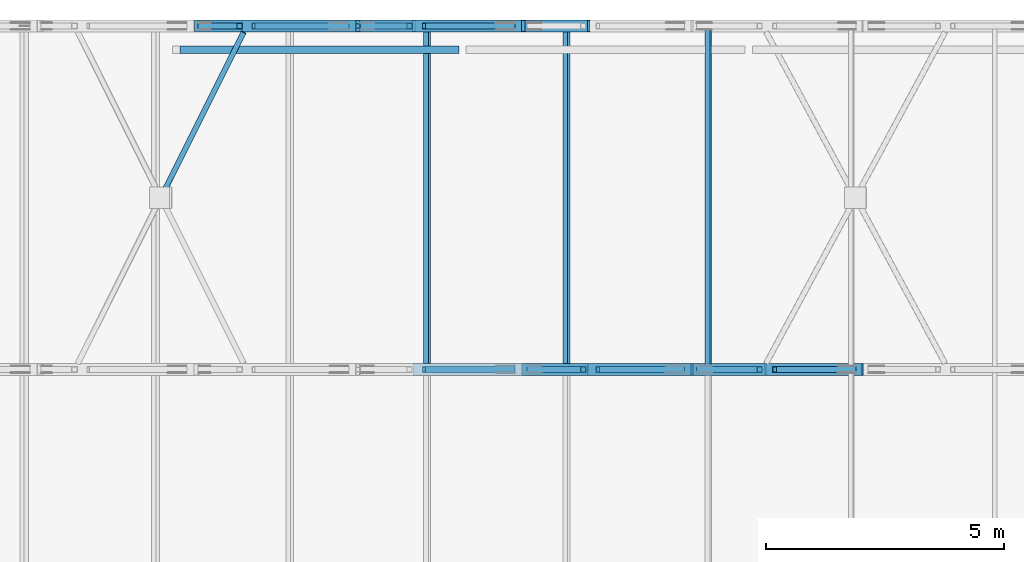
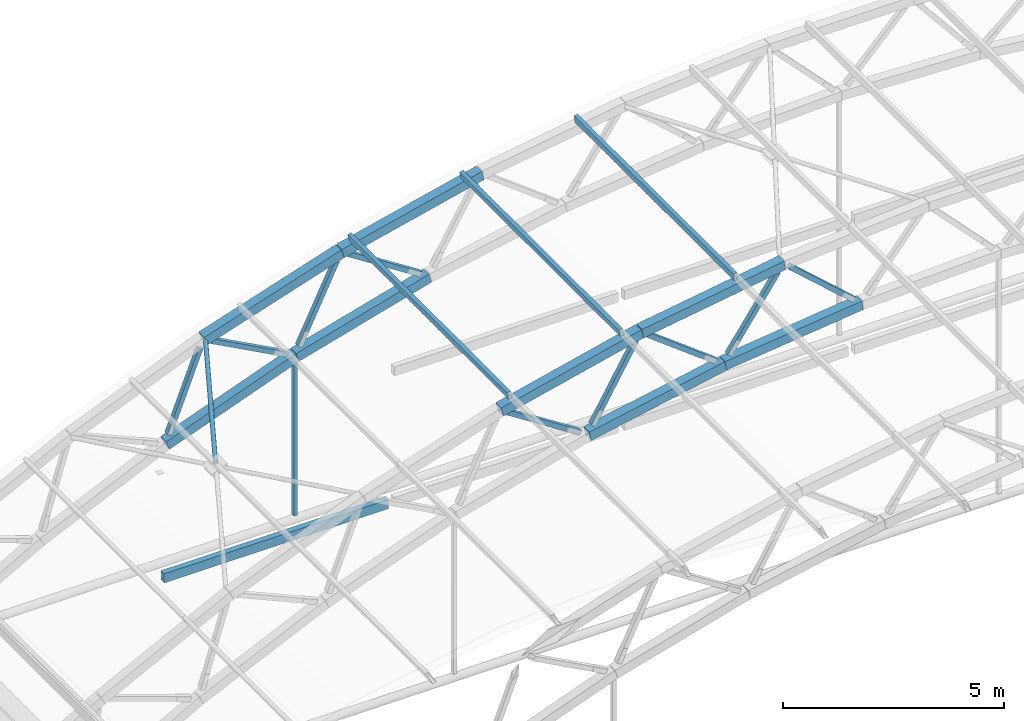
# One storey, part 27 of 127: 22 members, 1 beam.
"""IFC4 building model written with IfcOpenShell, lengths in metres."""

from ifc_helpers import new_model, si_unit, direction, frame, origin, origin_2d, place, context, subcontext, project, spatial, hollow_rectangle, hollow_circle, extrude, material, material_profile, profile_set, type_object, element, save


model = new_model("IFC4")

# Units and contexts
model_context = context("Model", 3, precision=1e-05, world=origin(), true_north=direction((0.0, 1.0)))
body_context = subcontext(model_context, "Body", "Model", "MODEL_VIEW")
ifc_project = project(units=[si_unit("LENGTHUNIT", "METRE"), si_unit("AREAUNIT", "SQUARE_METRE"), si_unit("VOLUMEUNIT", "CUBIC_METRE"), si_unit("PLANEANGLEUNIT", "RADIAN"), si_unit("MASSUNIT", "GRAM", prefix="KILO")], contexts=[model_context])

# Site, building, storey
site_placement = place(None, origin())
site = spatial("IfcSite", under=ifc_project, at=site_placement, CompositionType="ELEMENT")
building_placement = place(site_placement, origin())
building = spatial("IfcBuilding", under=site, at=building_placement, Name="Verrick Yard Athletic Hall", CompositionType="ELEMENT")
storey_placement = place(building_placement, frame((0.0, 0.0, 14.0)))
storey = spatial("IfcBuildingStorey", under=building, at=storey_placement, Name="L03", CompositionType="ELEMENT", Elevation=14.0)

# Members
ifc_material = material(Name="Structural steel HSS Class C 350W (CSA G40.20/G40.21)", Category="steel")
ifc_material_profile_1 = material_profile(ifc_material, hollow_rectangle(XDim=0.25390625, YDim=0.25390625, WallThickness=0.009521484375, at=origin_2d()), Name="HSS254x254x9.5")
ifc_profile_set_1 = profile_set([ifc_material_profile_1], Name="Structural steel HSS Class C 350W (CSA G40.20/G40.21)")
member_type_1 = type_object("IfcMemberType", Name="HB bottom chord HSS254x254x9.5", PredefinedType="CHORD", material=ifc_profile_set_1)
for number, where, z_axis, x_axis, name in (
    (1, (41.283447265625, 100.800048828125, 5.4912109375), (0.980848695375, 0.0, 0.194771242181), (0.0, 1.0, 0.0), "Truss TB5 bottom chord 5"),
    (2, (44.820556640625, 100.800048828125, 6.193359375), (0.993094882284, 0.0, 0.117313915545), (0.0, 1.0, 0.0), "Truss TB5 bottom chord 6"),
):
    element("IfcMember", number, at=place(storey_placement, frame(where, z_axis=z_axis, x_axis=x_axis)), inside=storey, type_object=member_type_1, Name=name, PredefinedType="CHORD", context=body_context, shape_type="SweptSolid", body=[
        extrude(hollow_rectangle(XDim=0.25390625, YDim=0.25390625, WallThickness=0.009521484375, at=origin_2d()), origin(), (0.0, 0.0, 1.0), 3.59619140625),
    ])
for number, where, z_axis, x_axis, name in (
    (3, (34.42822265625, 108.0, 3.2685546875), (0.938394107905, 0.0, 0.345566922966), (0.0, 1.0, 0.0), "Truss TB6 bottom chord 3"),
    (4, (37.812255859375, 108.0, 4.514404296875), (0.962572378456, 0.0, 0.271024752066), (0.0, 1.0, 0.0), "Truss TB6 bottom chord 4"),
):
    element("IfcMember", number, at=place(storey_placement, frame(where, z_axis=z_axis, x_axis=x_axis)), inside=storey, type_object=member_type_1, Name=name, PredefinedType="CHORD", context=body_context, shape_type="SweptSolid", body=[
        extrude(hollow_rectangle(XDim=0.25390625, YDim=0.25390625, WallThickness=0.009521484375, at=origin_2d()), origin(), (0.0, 0.0, 1.0), 3.595947265625),
    ])
ifc_material_profile_2 = material_profile(ifc_material, hollow_rectangle(XDim=0.1015625, YDim=0.203125, WallThickness=0.009521484375, at=origin_2d()), Name="HSS203x102x9.5")
ifc_profile_set_2 = profile_set([ifc_material_profile_2], Name="Structural steel HSS Class C 350W (CSA G40.20/G40.21)")
member_type_2 = type_object("IfcMemberType", Name="HB purlin HSS203x102x9.5", PredefinedType="PURLIN", material=ifc_profile_set_2)
for number, where, z_axis, x_axis, name in (
    (5, (39.2587890625, 100.800048828125, 7.260009765625), (0.0, 1.0, 0.0), (-0.972458956474, 0.0, -0.23307418985), "HB-PU-B-5-5"),
    (6, (42.176025390625, 100.800048828125, 7.959228515625), (0.0, 1.0, 0.0), (-0.972458956474, 0.0, -0.23307418985), "HB-PU-B-5-6"),
    (7, (45.150390625, 100.800048828125, 8.464599609375), (0.0, 1.0, 0.0), (-0.987728086354, 0.0, -0.156183313539), "HB-PU-B-5-7"),
):
    element("IfcMember", number, at=place(storey_placement, frame(where, z_axis=z_axis, x_axis=x_axis)), inside=storey, type_object=member_type_2, Name=name, PredefinedType="PURLIN", context=body_context, shape_type="SweptSolid", body=[
        extrude(hollow_rectangle(XDim=0.1015625, YDim=0.203125, WallThickness=0.009521484375, at=origin_2d()), origin(), (0.0, 0.0, 1.0), 7.199951171875),
    ])
ifc_material_profile_3 = material_profile(ifc_material, hollow_circle(Radius=0.05712890625, WallThickness=0.00634765625, at=origin_2d()), Name="HSS114x6.4")
ifc_profile_set_3 = profile_set([ifc_material_profile_3], Name="Structural steel HSS Class C 350W (CSA G40.20/G40.21)")
member_type_3 = type_object("IfcMemberType", Name="HB roof brace HSS114x6.4", PredefinedType="BRACE", material=ifc_profile_set_3)
member_1_placement = place(storey_placement, frame((33.719970703125, 104.49267578125, 5.10009765625), z_axis=(0.440150503414, 0.879284932949, 0.182004233557), x_axis=(-0.894220428922, 0.447626880894, 0.0)))
element("IfcMember", 8, at=member_1_placement, inside=storey, type_object=member_type_3, Name="HB-BR-B-5-1b2", PredefinedType="BRACE", context=body_context, shape_type="SweptSolid", body=[
    extrude(hollow_circle(Radius=0.05712890625, WallThickness=0.00634765625, at=origin_2d()), origin(), (0.0, 0.0, 1.0), 3.844482421875),
])
ifc_material_profile_4 = material_profile(ifc_material, hollow_rectangle(XDim=0.25390625, YDim=0.25390625, WallThickness=0.009521484375, at=origin_2d()), Name="HSS254x254x9.5")
ifc_profile_set_4 = profile_set([ifc_material_profile_4], Name="Structural steel HSS Class C 350W (CSA G40.20/G40.21)")
member_type_4 = type_object("IfcMemberType", Name="HB top chord HSS254x254x9.5", PredefinedType="CHORD", material=ifc_profile_set_4)
member_2_placement = place(storey_placement, frame((38.996337890625, 100.800048828125, 6.9619140625), z_axis=(0.972453991168, 0.0, 0.233094905697), x_axis=(0.0, 1.0, 0.0)))
element("IfcMember", 9, at=member_2_placement, inside=storey, type_object=member_type_4, Name="Truss TB5 top chord 5", PredefinedType="CHORD", context=body_context, shape_type="SweptSolid", body=[
    extrude(hollow_rectangle(XDim=0.25390625, YDim=0.25390625, WallThickness=0.009521484375, at=origin_2d()), origin(), (0.0, 0.0, 1.0), 3.752685546875),
])
member_3_placement = place(storey_placement, frame((42.655517578125, 100.800048828125, 7.838623046875), z_axis=(0.987726014692, 0.0, 0.156196414495), x_axis=(0.0, 1.0, 0.0)))
element("IfcMember", 10, at=member_3_placement, inside=storey, type_object=member_type_4, Name="Truss TB5 top chord 6", PredefinedType="CHORD", context=body_context, shape_type="SweptSolid", body=[
    extrude(hollow_rectangle(XDim=0.25390625, YDim=0.25390625, WallThickness=0.009521484375, at=origin_2d()), origin(), (0.0, 0.0, 1.0), 3.7529296875),
])
for number, where, z_axis, x_axis, name in (
    (11, (35.4169921875, 108.0, 5.80126953125), (0.951202693453, 0.0, 0.308566744754), (0.0, 1.0, 0.0), "Truss TB6 top chord 4"),
    (12, (38.996337890625, 108.0, 6.9619140625), (0.972453991168, 0.0, 0.233094905697), (0.0, 1.0, 0.0), "Truss TB6 top chord 5"),
):
    element("IfcMember", number, at=place(storey_placement, frame(where, z_axis=z_axis, x_axis=x_axis)), inside=storey, type_object=member_type_4, Name=name, PredefinedType="CHORD", context=body_context, shape_type="SweptSolid", body=[
        extrude(hollow_rectangle(XDim=0.25390625, YDim=0.25390625, WallThickness=0.009521484375, at=origin_2d()), origin(), (0.0, 0.0, 1.0), 3.752685546875),
    ])
ifc_material_profile_5 = material_profile(ifc_material, hollow_rectangle(XDim=0.1015625, YDim=0.1015625, WallThickness=0.00634765625, at=origin_2d()), Name="HSS102x102x6.4")
ifc_profile_set_5 = profile_set([ifc_material_profile_5], Name="Structural steel HSS Class C 350W (CSA G40.20/G40.21)")
member_type_5 = type_object("IfcMemberType", Name="HB truss hanger HSS102x102x6.4", PredefinedType="MEMBER", material=ifc_profile_set_5)
member_4_placement = place(storey_placement, frame((37.807373046875, 108.0, 4.35888671875), z_axis=(0.0, 0.0, -1.0), x_axis=(0.0, -1.0, 0.0)))
element("IfcMember", 13, at=member_4_placement, inside=storey, type_object=member_type_5, Name="Truss TB6 hanger 1", PredefinedType="MEMBER", context=body_context, shape_type="SweptSolid", body=[
    extrude(hollow_rectangle(XDim=0.1015625, YDim=0.1015625, WallThickness=0.00634765625, at=origin_2d()), origin(), (0.0, 0.0, 1.0), 4.249267578125),
])
ifc_material_profile_6 = material_profile(ifc_material, hollow_rectangle(XDim=0.126953125, YDim=0.126953125, WallThickness=0.009521484375, at=origin_2d()), Name="HSS127x127x9.5")
ifc_profile_set_6 = profile_set([ifc_material_profile_6], Name="Structural steel HSS Class C 350W (CSA G40.20/G40.21)")
member_type_6 = type_object("IfcMemberType", Name="HB truss web HSS127x127x9.5", PredefinedType="BRACE", material=ifc_profile_set_6)
for number, where, z_axis, x_axis, name in (
    (14, (39.190673828125, 100.800048828125, 6.832763671875), (0.841118094735, 0.0, -0.54085150523), (0.0, 1.0, 0.0), "Truss TB5 web 8"),
    (15, (41.404052734375, 100.800048828125, 5.705078125), (0.504625153938, 0.0, 0.863338551214), (0.0, 1.0, 0.0), "Truss TB5 web 9"),
):
    element("IfcMember", number, at=place(storey_placement, frame(where, z_axis=z_axis, x_axis=x_axis)), inside=storey, type_object=member_type_6, Name=name, PredefinedType="BRACE", context=body_context, shape_type="SweptSolid", body=[
        extrude(hollow_rectangle(XDim=0.126953125, YDim=0.126953125, WallThickness=0.009521484375, at=origin_2d()), origin(), (0.0, 0.0, 1.0), 2.233642578125),
    ])
member_5_placement = place(storey_placement, frame((42.839111328125, 100.800048828125, 7.694580078125), z_axis=(0.796206425538, 0.0, -0.605025063887), x_axis=(0.0, 1.0, 0.0)))
element("IfcMember", 16, at=member_5_placement, inside=storey, type_object=member_type_6, Name="Truss TB5 web 10", PredefinedType="BRACE", context=body_context, shape_type="SweptSolid", body=[
    extrude(hollow_rectangle(XDim=0.126953125, YDim=0.126953125, WallThickness=0.009521484375, at=origin_2d()), origin(), (0.0, 0.0, 1.0), 2.2333984375),
])
for number, where, z_axis, x_axis, name in (
    (17, (44.95751953125, 100.800048828125, 6.39697265625), (0.570664111571, 0.0, 0.821183579819), (0.0, 1.0, 0.0), "Truss TB5 web 11"),
    (18, (46.5439453125, 100.800048828125, 8.26806640625), (0.746389338881, 0.0, -0.66550954524), (0.0, 1.0, 0.0), "Truss TB5 web 12"),
    (19, (34.513916015625, 108.0, 3.49853515625), (0.363632709383, 0.0, 0.93154240519), (0.0, 1.0, 0.0), "Truss TB6 web 5"),
    (20, (35.620849609375, 108.0, 5.687744140625), (0.880902446091, 0.0, -0.473297877103), (0.0, 1.0, 0.0), "Truss TB6 web 6"),
    (21, (37.915771484375, 108.0, 4.73681640625), (0.435458074734, 0.0, 0.900209011924), (0.0, 1.0, 0.0), "Truss TB6 web 7"),
    (22, (39.190673828125, 108.0, 6.832763671875), (0.841118094735, 0.0, -0.54085150523), (0.0, 1.0, 0.0), "Truss TB6 web 8"),
):
    element("IfcMember", number, at=place(storey_placement, frame(where, z_axis=z_axis, x_axis=x_axis)), inside=storey, type_object=member_type_6, Name=name, PredefinedType="BRACE", context=body_context, shape_type="SweptSolid", body=[
        extrude(hollow_rectangle(XDim=0.126953125, YDim=0.126953125, WallThickness=0.009521484375, at=origin_2d()), origin(), (0.0, 0.0, 1.0), 2.233642578125),
    ])

# Beam
ifc_material_profile_7 = material_profile(ifc_material, hollow_rectangle(XDim=0.15234375, YDim=0.25390625, WallThickness=0.009521484375, at=origin_2d()), Name="HSS254x152x9.5")
ifc_profile_set_7 = profile_set([ifc_material_profile_7], Name="Structural steel HSS Class C 350W (CSA G40.20/G40.21)")
beam_type = type_object("IfcBeamType", Name="HB wind girder HSS254x152x9.5", PredefinedType="BEAM", material=ifc_profile_set_7)
beam_placement = place(storey_placement, frame((34.076171875, 107.50537109375, 0.0), z_axis=(1.0, 0.0, 0.0), x_axis=(0.0, 1.0, 0.0)))
element("IfcBeam", 23, at=beam_placement, inside=storey, type_object=beam_type, Name="HB-WG-BN-140-1", PredefinedType="BEAM", context=body_context, shape_type="SweptSolid", body=[
    extrude(hollow_rectangle(XDim=0.15234375, YDim=0.25390625, WallThickness=0.009521484375, at=origin_2d()), origin(), (0.0, 0.0, 1.0), 5.84765625),
])

save(model, "model.ifc")
